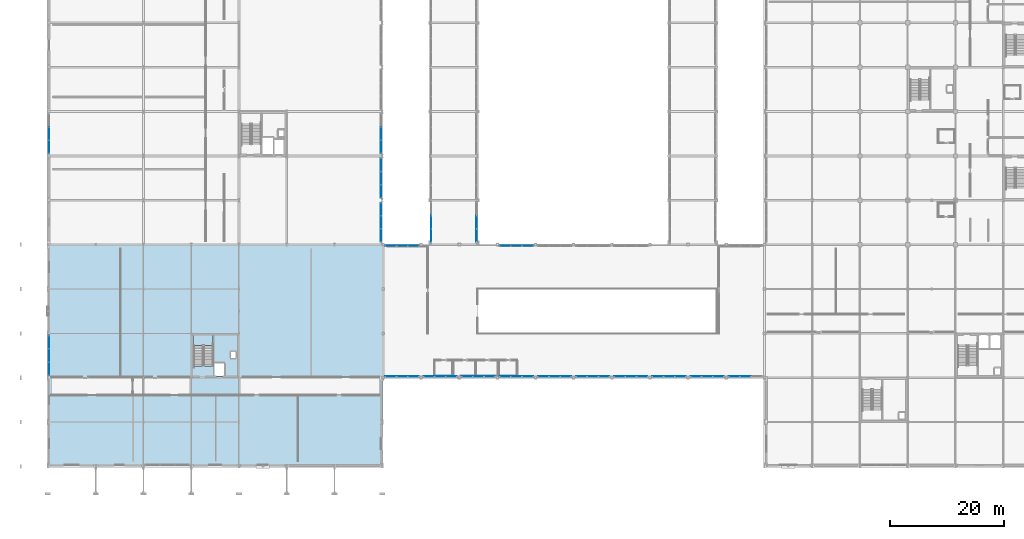
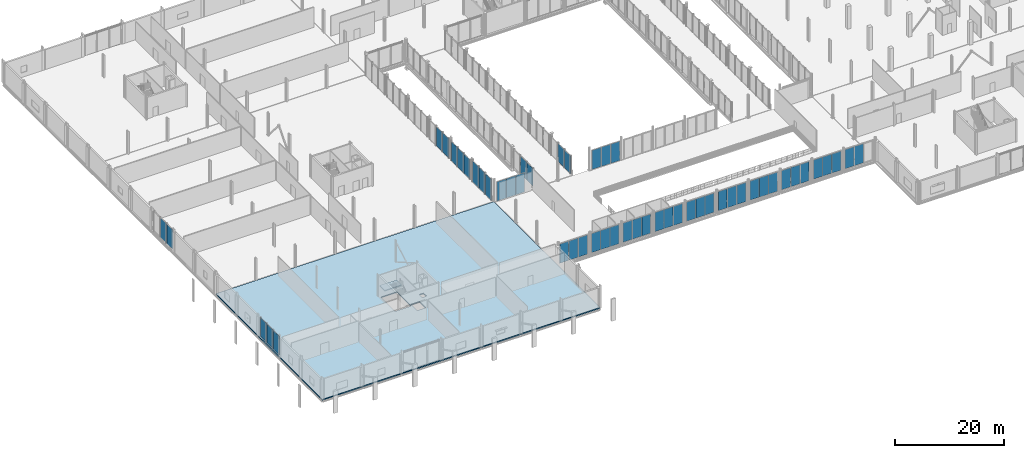
# One storey, part 68 of 105: 52 plates, 2 slabs, 20 elements without a shape of their own.
"""IFC4 building model written with IfcOpenShell, lengths in metres."""

from ifc_helpers import new_model, si_unit, direction, frame, origin, origin_2d, place, context, subcontext, project, spatial, polyline, rectangle, outline, extrude, material, layer, layer_set, type_object, element, aggregate, save


model = new_model("IFC4")

# Units and contexts
model_context = context("Model", 3, precision=1e-05, world=origin(), true_north=direction((0.0, 1.0)))
body_context = subcontext(model_context, "Body", "Model", "MODEL_VIEW")
ifc_project = project(units=[si_unit("LENGTHUNIT", "METRE"), si_unit("AREAUNIT", "SQUARE_METRE"), si_unit("VOLUMEUNIT", "CUBIC_METRE"), si_unit("PLANEANGLEUNIT", "RADIAN"), si_unit("MASSUNIT", "GRAM", prefix="KILO")], contexts=[model_context])

# Site, building, storey
site_placement = place(None, origin())
site = spatial("IfcSite", under=ifc_project, at=site_placement, CompositionType="ELEMENT")
building_placement = place(site_placement, origin())
building = spatial("IfcBuilding", under=site, at=building_placement, Name="Nabrawat Pavilion Hospital", CompositionType="ELEMENT")
storey_placement = place(building_placement, frame((0.0, 0.0, 5.10009765625)))
storey = spatial("IfcBuildingStorey", under=building, at=storey_placement, Name="L01", CompositionType="ELEMENT", Elevation=5.10009765625)

# Slab
ifc_material_1 = material(Name="Concrete C35/45", Category="concrete")
ifc_layer_1 = layer(ifc_material_1, 0.25, Name="Concrete C35/45")
ifc_layer_set_1 = layer_set([ifc_layer_1], Name="Concrete C35/45")
slab_type_1 = type_object("IfcSlabType", Name="Composite Emergency Floor Slab 250", PredefinedType="FLOOR", material=ifc_layer_set_1)
slab_1_placement = place(storey_placement, frame((0.0, 0.0, -0.25)))
element("IfcSlab", 1, at=slab_1_placement, inside=storey, type_object=slab_type_1, Name="L01 Structural Floor Slab P_L01_V2", PredefinedType="FLOOR", context=body_context, shape_type="SweptSolid", body=[
    extrude(outline(polyline([(0.0, 0.0), (58.800048828125, 0.0), (58.800048828125, 39.0), (0.0, 39.0), (0.0, 0.0)]), holes=[polyline([(32.14990234375, 19.050048828125), (32.14990234375, 20.14990234375), (33.050048828125, 20.14990234375), (33.050048828125, 19.050048828125), (32.14990234375, 19.050048828125)]), polyline([(31.06005859375, 18.199951171875), (31.06005859375, 15.89990234375), (29.300048828125, 15.89990234375), (29.300048828125, 18.199951171875), (31.06005859375, 18.199951171875)]), polyline([(29.050048828125, 17.669921875), (25.64990234375, 17.669921875), (25.64990234375, 22.949951171875), (29.050048828125, 22.949951171875), (29.050048828125, 17.669921875)])]), origin(), (0.0, 0.0, 1.0), 0.25),
])

# Curtain wall, plates
ifc_material_2 = material(Name="Anodised Aluminium", Category="aluminium")
curtain_wall_type_1 = type_object("IfcCurtainWallType", Name="Courtyard Link Bridge Glazed Curtain Wall", PredefinedType="USERDEFINED", material=ifc_material_2)
curtain_wall_1_placement = place(storey_placement, origin())
curtain_wall_1 = element("IfcCurtainWall", 2, at=curtain_wall_1_placement, inside=storey, type_object=curtain_wall_type_1, Name="L01 Courtyard Link Bridge Glazed Curtain Wall 052", ObjectType="CURTAIN WALL", PredefinedType="USERDEFINED")
ifc_material_3 = material(Name="Double-Glazed Low-E Glass", Category="glass")
ifc_layer_2 = layer(ifc_material_3, 0.031982421875, Name="Double-Glazed Low-E Glass")
ifc_layer_set_2 = layer_set([ifc_layer_2], Name="Double-Glazed Low-E Glass")
plate_type_1 = type_object("IfcPlateType", Name="Courtyard Link Bridge Glazed Curtain Wall Low-E Solar Panel 32", PredefinedType="CURTAIN_PANEL", material=ifc_layer_set_2)
plate_1_placement = place(storey_placement, frame((67.419921875, 40.631103515625, 0.06982421875), z_axis=(0.0, 0.0, 1.0), x_axis=(0.0, 1.0, 0.0)))
plate_1 = element("IfcPlate", 3, at=plate_1_placement, type_object=plate_type_1, Name="CW-BRG-01 panel 1.1", PredefinedType="CURTAIN_PANEL", context=body_context, shape_type="SweptSolid", body=[
    extrude(rectangle(XDim=2.242431640625, YDim=0.031982421875, at=origin_2d()), origin(), (0.0, 0.0, 1.0), 4.0),
])
plate_2_placement = place(storey_placement, frame((67.419921875, 42.961181640625, 0.06982421875), z_axis=(0.0, 0.0, 1.0), x_axis=(0.0, 1.0, 0.0)))
plate_2 = element("IfcPlate", 4, at=plate_2_placement, type_object=plate_type_1, Name="CW-BRG-01 panel 2.1", PredefinedType="CURTAIN_PANEL", context=body_context, shape_type="SweptSolid", body=[
    extrude(rectangle(XDim=2.27734375, YDim=0.031982421875, at=origin_2d()), origin(), (0.0, 0.0, 1.0), 4.0),
])
aggregate(curtain_wall_1, [plate_1, plate_2])

curtain_wall_2_placement = place(storey_placement, origin())
curtain_wall_2 = element("IfcCurtainWall", 5, at=curtain_wall_2_placement, inside=storey, type_object=curtain_wall_type_1, Name="L01 Courtyard Link Bridge Glazed Curtain Wall 058", ObjectType="CURTAIN WALL", PredefinedType="USERDEFINED")
plate_3_placement = place(storey_placement, frame((75.3798828125, 40.631103515625, 0.06982421875), z_axis=(0.0, 0.0, 1.0), x_axis=(0.0, 1.0, 0.0)))
plate_3 = element("IfcPlate", 6, at=plate_3_placement, type_object=plate_type_1, Name="CW-BRG-01 panel 1.1", PredefinedType="CURTAIN_PANEL", context=body_context, shape_type="SweptSolid", body=[
    extrude(rectangle(XDim=2.242431640625, YDim=0.031982421875, at=origin_2d()), origin(), (0.0, 0.0, 1.0), 4.0),
])
plate_4_placement = place(storey_placement, frame((75.3798828125, 42.961181640625, 0.06982421875), z_axis=(0.0, 0.0, 1.0), x_axis=(0.0, 1.0, 0.0)))
plate_4 = element("IfcPlate", 7, at=plate_4_placement, type_object=plate_type_1, Name="CW-BRG-01 panel 2.1", PredefinedType="CURTAIN_PANEL", context=body_context, shape_type="SweptSolid", body=[
    extrude(rectangle(XDim=2.27734375, YDim=0.031982421875, at=origin_2d()), origin(), (0.0, 0.0, 1.0), 4.0),
])
aggregate(curtain_wall_2, [plate_3, plate_4])

curtain_wall_type_2 = type_object("IfcCurtainWallType", Name="Emergency Concourse Glazed Screen", PredefinedType="USERDEFINED", material=ifc_material_2)
curtain_wall_3_placement = place(storey_placement, origin())
curtain_wall_3 = element("IfcCurtainWall", 8, at=curtain_wall_3_placement, inside=storey, type_object=curtain_wall_type_2, Name="L01 Emergency Concourse Glazed Screen 029", ObjectType="CURTAIN WALL", PredefinedType="USERDEFINED")
ifc_layer_3 = layer(ifc_material_3, 0.030029296875, Name="Double-Glazed Low-E Glass")
ifc_layer_set_3 = layer_set([ifc_layer_3], Name="Double-Glazed Low-E Glass")
plate_type_2 = type_object("IfcPlateType", Name="Emergency Concourse Glazed Screen Low-E Solar Panel 30", PredefinedType="CURTAIN_PANEL", material=ifc_layer_set_3)
plate_5_placement = place(storey_placement, frame((0.219970703125, 17.1640625, 0.06982421875), z_axis=(0.0, 0.0, 1.0), x_axis=(0.0, 1.0, 0.0)))
plate_5 = element("IfcPlate", 9, at=plate_5_placement, type_object=plate_type_2, Name="CW-ED-01 panel 1.1", PredefinedType="CURTAIN_PANEL", context=body_context, shape_type="SweptSolid", body=[
    extrude(rectangle(XDim=2.248291015625, YDim=0.030029296875, at=origin_2d()), origin(), (0.0, 0.0, 1.0), 4.18994140625),
])
plate_6_placement = place(storey_placement, frame((0.219970703125, 19.5, 0.06982421875), z_axis=(0.0, 0.0, 1.0), x_axis=(0.0, 1.0, 0.0)))
plate_6 = element("IfcPlate", 10, at=plate_6_placement, type_object=plate_type_2, Name="CW-ED-01 panel 2.1", PredefinedType="CURTAIN_PANEL", context=body_context, shape_type="SweptSolid", body=[
    extrude(rectangle(XDim=2.283447265625, YDim=0.030029296875, at=origin_2d()), origin(), (0.0, 0.0, 1.0), 4.18994140625),
])
plate_7_placement = place(storey_placement, frame((0.219970703125, 21.8359375, 0.06982421875), z_axis=(0.0, 0.0, 1.0), x_axis=(0.0, 1.0, 0.0)))
plate_7 = element("IfcPlate", 11, at=plate_7_placement, type_object=plate_type_2, Name="CW-ED-01 panel 3.1", PredefinedType="CURTAIN_PANEL", context=body_context, shape_type="SweptSolid", body=[
    extrude(rectangle(XDim=2.248291015625, YDim=0.030029296875, at=origin_2d()), origin(), (0.0, 0.0, 1.0), 4.18994140625),
])
aggregate(curtain_wall_3, [plate_5, plate_6, plate_7])

curtain_wall_4_placement = place(storey_placement, origin())
curtain_wall_4 = element("IfcCurtainWall", 12, at=curtain_wall_4_placement, inside=storey, type_object=curtain_wall_type_2, Name="L01 Emergency Concourse Glazed Screen 031", ObjectType="CURTAIN WALL", PredefinedType="USERDEFINED")
plate_8_placement = place(storey_placement, frame((0.219970703125, 56.214111328125, 0.06982421875), z_axis=(0.0, 0.0, 1.0), x_axis=(0.0, 1.0, 0.0)))
plate_8 = element("IfcPlate", 13, at=plate_8_placement, type_object=plate_type_2, Name="CW-ED-01 panel 1.1", PredefinedType="CURTAIN_PANEL", context=body_context, shape_type="SweptSolid", body=[
    extrude(rectangle(XDim=2.1982421875, YDim=0.030029296875, at=origin_2d()), origin(), (0.0, 0.0, 1.0), 4.320068359375),
])
plate_9_placement = place(storey_placement, frame((0.219970703125, 58.5, 0.06982421875), z_axis=(0.0, 0.0, 1.0), x_axis=(0.0, 1.0, 0.0)))
plate_9 = element("IfcPlate", 14, at=plate_9_placement, type_object=plate_type_2, Name="CW-ED-01 panel 2.1", PredefinedType="CURTAIN_PANEL", context=body_context, shape_type="SweptSolid", body=[
    extrude(rectangle(XDim=2.2333984375, YDim=0.030029296875, at=origin_2d()), origin(), (0.0, 0.0, 1.0), 4.320068359375),
])
aggregate(curtain_wall_4, [plate_8, plate_9])

curtain_wall_type_3 = type_object("IfcCurtainWallType", Name="Healing Garden Cloister Curtain Wall", PredefinedType="USERDEFINED", material=ifc_material_2)
curtain_wall_5_placement = place(storey_placement, origin())
curtain_wall_5 = element("IfcCurtainWall", 15, at=curtain_wall_5_placement, inside=storey, type_object=curtain_wall_type_3, Name="L01 Healing Garden Cloister Curtain Wall 043", ObjectType="CURTAIN WALL", PredefinedType="USERDEFINED")
ifc_layer_4 = layer(ifc_material_3, 0.028076171875, Name="Double-Glazed Low-E Glass")
ifc_layer_set_4 = layer_set([ifc_layer_4], Name="Double-Glazed Low-E Glass")
plate_type_3 = type_object("IfcPlateType", Name="Healing Garden Cloister Curtain Wall Low-E Solar Panel 28", PredefinedType="CURTAIN_PANEL", material=ifc_layer_set_4)
plate_10_placement = place(storey_placement, frame((58.580078125, 40.61376953125, 0.06494140625), z_axis=(0.0, 0.0, 1.0), x_axis=(0.0, 1.0, 0.0)))
plate_10 = element("IfcPlate", 16, at=plate_10_placement, type_object=plate_type_3, Name="CW-CLN-01 panel 1.1", PredefinedType="CURTAIN_PANEL", context=body_context, shape_type="SweptSolid", body=[
    extrude(rectangle(XDim=2.217529296875, YDim=0.028076171875, at=origin_2d()), origin(), (0.0, 0.0, 1.0), 4.679931640625),
])
plate_11_placement = place(storey_placement, frame((58.580078125, 42.91259765625, 0.06494140625), z_axis=(0.0, 0.0, 1.0), x_axis=(0.0, 1.0, 0.0)))
plate_11 = element("IfcPlate", 17, at=plate_11_placement, type_object=plate_type_3, Name="CW-CLN-01 panel 2.1", PredefinedType="CURTAIN_PANEL", context=body_context, shape_type="SweptSolid", body=[
    extrude(rectangle(XDim=2.25, YDim=0.028076171875, at=origin_2d()), origin(), (0.0, 0.0, 1.0), 4.679931640625),
])
plate_12_placement = place(storey_placement, frame((58.580078125, 45.211181640625, 0.06494140625), z_axis=(0.0, 0.0, 1.0), x_axis=(0.0, 1.0, 0.0)))
plate_12 = element("IfcPlate", 18, at=plate_12_placement, type_object=plate_type_3, Name="CW-CLN-01 panel 3.1", PredefinedType="CURTAIN_PANEL", context=body_context, shape_type="SweptSolid", body=[
    extrude(rectangle(XDim=2.217529296875, YDim=0.028076171875, at=origin_2d()), origin(), (0.0, 0.0, 1.0), 4.679931640625),
])
aggregate(curtain_wall_5, [plate_10, plate_11, plate_12])

curtain_wall_6_placement = place(storey_placement, origin())
curtain_wall_6 = element("IfcCurtainWall", 19, at=curtain_wall_6_placement, inside=storey, type_object=curtain_wall_type_3, Name="L01 Healing Garden Cloister Curtain Wall 044", ObjectType="CURTAIN WALL", PredefinedType="USERDEFINED")
plate_13_placement = place(storey_placement, frame((58.580078125, 48.392822265625, 0.06494140625), z_axis=(0.0, 0.0, 1.0), x_axis=(0.0, 1.0, 0.0)))
plate_13 = element("IfcPlate", 20, at=plate_13_placement, type_object=plate_type_3, Name="CW-CLN-01 panel 1.1", PredefinedType="CURTAIN_PANEL", context=body_context, shape_type="SweptSolid", body=[
    extrude(rectangle(XDim=2.225830078125, YDim=0.028076171875, at=origin_2d()), origin(), (0.0, 0.0, 1.0), 4.2900390625),
])
plate_14_placement = place(storey_placement, frame((58.580078125, 50.699951171875, 0.06494140625), z_axis=(0.0, 0.0, 1.0), x_axis=(0.0, 1.0, 0.0)))
plate_14 = element("IfcPlate", 21, at=plate_14_placement, type_object=plate_type_3, Name="CW-CLN-01 panel 2.1", PredefinedType="CURTAIN_PANEL", context=body_context, shape_type="SweptSolid", body=[
    extrude(rectangle(XDim=2.25830078125, YDim=0.028076171875, at=origin_2d()), origin(), (0.0, 0.0, 1.0), 4.2900390625),
])
plate_15_placement = place(storey_placement, frame((58.580078125, 53.007080078125, 0.06494140625), z_axis=(0.0, 0.0, 1.0), x_axis=(0.0, 1.0, 0.0)))
plate_15 = element("IfcPlate", 22, at=plate_15_placement, type_object=plate_type_3, Name="CW-CLN-01 panel 3.1", PredefinedType="CURTAIN_PANEL", context=body_context, shape_type="SweptSolid", body=[
    extrude(rectangle(XDim=2.225830078125, YDim=0.028076171875, at=origin_2d()), origin(), (0.0, 0.0, 1.0), 4.2900390625),
])
aggregate(curtain_wall_6, [plate_13, plate_14, plate_15])

curtain_wall_7_placement = place(storey_placement, origin())
curtain_wall_7 = element("IfcCurtainWall", 23, at=curtain_wall_7_placement, inside=storey, type_object=curtain_wall_type_3, Name="L01 Healing Garden Cloister Curtain Wall 045", ObjectType="CURTAIN WALL", PredefinedType="USERDEFINED")
plate_16_placement = place(storey_placement, frame((58.580078125, 56.19287109375, 0.06494140625), z_axis=(0.0, 0.0, 1.0), x_axis=(0.0, 1.0, 0.0)))
plate_16 = element("IfcPlate", 24, at=plate_16_placement, type_object=plate_type_3, Name="CW-CLN-01 panel 1.1", PredefinedType="CURTAIN_PANEL", context=body_context, shape_type="SweptSolid", body=[
    extrude(rectangle(XDim=2.225830078125, YDim=0.028076171875, at=origin_2d()), origin(), (0.0, 0.0, 1.0), 4.2900390625),
])
plate_17_placement = place(storey_placement, frame((58.580078125, 58.5, 0.06494140625), z_axis=(0.0, 0.0, 1.0), x_axis=(0.0, 1.0, 0.0)))
plate_17 = element("IfcPlate", 25, at=plate_17_placement, type_object=plate_type_3, Name="CW-CLN-01 panel 2.1", PredefinedType="CURTAIN_PANEL", context=body_context, shape_type="SweptSolid", body=[
    extrude(rectangle(XDim=2.25830078125, YDim=0.028076171875, at=origin_2d()), origin(), (0.0, 0.0, 1.0), 4.2900390625),
])
aggregate(curtain_wall_7, [plate_16, plate_17])

curtain_wall_type_4 = type_object("IfcCurtainWallType", Name="Main Hall Pavilion Unitised Curtain Wall", PredefinedType="USERDEFINED", material=ifc_material_2)
curtain_wall_8_placement = place(storey_placement, origin())
curtain_wall_8 = element("IfcCurtainWall", 26, at=curtain_wall_8_placement, inside=storey, type_object=curtain_wall_type_4, Name="L01 Main Hall Pavilion Unitised Curtain Wall 033", ObjectType="CURTAIN WALL", PredefinedType="USERDEFINED")
ifc_layer_5 = layer(ifc_material_3, 0.035888671875, Name="Double-Glazed Low-E Glass")
ifc_layer_set_5 = layer_set([ifc_layer_5], Name="Double-Glazed Low-E Glass")
plate_type_4 = type_object("IfcPlateType", Name="Main Hall Pavilion Unitised Curtain Wall Low-E Solar Panel 36", PredefinedType="CURTAIN_PANEL", material=ifc_layer_set_5)
plate_18_placement = place(storey_placement, frame((60.302490234375, 15.820068359375, 0.074951171875), z_axis=(0.0, 0.0, 1.0), x_axis=(1.0, 0.0, 0.0)))
plate_18 = element("IfcPlate", 27, at=plate_18_placement, type_object=plate_type_4, Name="CW-MH-01 panel 1.1", PredefinedType="CURTAIN_PANEL", context=body_context, shape_type="SweptSolid", body=[
    extrude(rectangle(XDim=1.8779296875, YDim=0.035888671875, at=origin_2d()), origin(), (0.0, 0.0, 1.0), 4.2900390625),
])
plate_19_placement = place(storey_placement, frame((62.27392578125, 15.820068359375, 0.074951171875), z_axis=(0.0, 0.0, 1.0), x_axis=(1.0, 0.0, 0.0)))
plate_19 = element("IfcPlate", 28, at=plate_19_placement, type_object=plate_type_4, Name="CW-MH-01 panel 2.1", PredefinedType="CURTAIN_PANEL", context=body_context, shape_type="SweptSolid", body=[
    extrude(rectangle(XDim=1.915283203125, YDim=0.035888671875, at=origin_2d()), origin(), (0.0, 0.0, 1.0), 4.2900390625),
])
plate_20_placement = place(storey_placement, frame((64.24560546875, 15.820068359375, 0.074951171875), z_axis=(0.0, 0.0, 1.0), x_axis=(1.0, 0.0, 0.0)))
plate_20 = element("IfcPlate", 29, at=plate_20_placement, type_object=plate_type_4, Name="CW-MH-01 panel 3.1", PredefinedType="CURTAIN_PANEL", context=body_context, shape_type="SweptSolid", body=[
    extrude(rectangle(XDim=1.8779296875, YDim=0.035888671875, at=origin_2d()), origin(), (0.0, 0.0, 1.0), 4.2900390625),
])
aggregate(curtain_wall_8, [plate_18, plate_19, plate_20])

curtain_wall_9_placement = place(storey_placement, origin())
curtain_wall_9 = element("IfcCurtainWall", 30, at=curtain_wall_9_placement, inside=storey, type_object=curtain_wall_type_4, Name="L01 Main Hall Pavilion Unitised Curtain Wall 034", ObjectType="CURTAIN WALL", PredefinedType="USERDEFINED")
plate_21_placement = place(storey_placement, frame((67.010498046875, 15.820068359375, 0.07470703125), z_axis=(0.0, 0.0, 1.0), x_axis=(1.0, 0.0, 0.0)))
plate_21 = element("IfcPlate", 31, at=plate_21_placement, type_object=plate_type_4, Name="CW-MH-01 panel 1.1", PredefinedType="CURTAIN_PANEL", context=body_context, shape_type="SweptSolid", body=[
    extrude(rectangle(XDim=1.8779296875, YDim=0.035888671875, at=origin_2d()), origin(), (0.0, 0.0, 1.0), 4.300048828125),
])
plate_22_placement = place(storey_placement, frame((68.98193359375, 15.820068359375, 0.07470703125), z_axis=(0.0, 0.0, 1.0), x_axis=(1.0, 0.0, 0.0)))
plate_22 = element("IfcPlate", 32, at=plate_22_placement, type_object=plate_type_4, Name="CW-MH-01 panel 2.1", PredefinedType="CURTAIN_PANEL", context=body_context, shape_type="SweptSolid", body=[
    extrude(rectangle(XDim=1.915283203125, YDim=0.035888671875, at=origin_2d()), origin(), (0.0, 0.0, 1.0), 4.300048828125),
])
plate_23_placement = place(storey_placement, frame((70.95361328125, 15.820068359375, 0.07470703125), z_axis=(0.0, 0.0, 1.0), x_axis=(1.0, 0.0, 0.0)))
plate_23 = element("IfcPlate", 33, at=plate_23_placement, type_object=plate_type_4, Name="CW-MH-01 panel 3.1", PredefinedType="CURTAIN_PANEL", context=body_context, shape_type="SweptSolid", body=[
    extrude(rectangle(XDim=1.8779296875, YDim=0.035888671875, at=origin_2d()), origin(), (0.0, 0.0, 1.0), 4.300048828125),
])
aggregate(curtain_wall_9, [plate_21, plate_22, plate_23])

curtain_wall_10_placement = place(storey_placement, origin())
curtain_wall_10 = element("IfcCurtainWall", 34, at=curtain_wall_10_placement, inside=storey, type_object=curtain_wall_type_4, Name="L01 Main Hall Pavilion Unitised Curtain Wall 035", ObjectType="CURTAIN WALL", PredefinedType="USERDEFINED")
plate_24_placement = place(storey_placement, frame((73.718505859375, 15.820068359375, 0.07470703125), z_axis=(0.0, 0.0, 1.0), x_axis=(1.0, 0.0, 0.0)))
plate_24 = element("IfcPlate", 35, at=plate_24_placement, type_object=plate_type_4, Name="CW-MH-01 panel 1.1", PredefinedType="CURTAIN_PANEL", context=body_context, shape_type="SweptSolid", body=[
    extrude(rectangle(XDim=1.8779296875, YDim=0.035888671875, at=origin_2d()), origin(), (0.0, 0.0, 1.0), 4.300048828125),
])
plate_25_placement = place(storey_placement, frame((75.68994140625, 15.820068359375, 0.07470703125), z_axis=(0.0, 0.0, 1.0), x_axis=(1.0, 0.0, 0.0)))
plate_25 = element("IfcPlate", 36, at=plate_25_placement, type_object=plate_type_4, Name="CW-MH-01 panel 2.1", PredefinedType="CURTAIN_PANEL", context=body_context, shape_type="SweptSolid", body=[
    extrude(rectangle(XDim=1.915283203125, YDim=0.035888671875, at=origin_2d()), origin(), (0.0, 0.0, 1.0), 4.300048828125),
])
plate_26_placement = place(storey_placement, frame((77.66162109375, 15.820068359375, 0.07470703125), z_axis=(0.0, 0.0, 1.0), x_axis=(1.0, 0.0, 0.0)))
plate_26 = element("IfcPlate", 37, at=plate_26_placement, type_object=plate_type_4, Name="CW-MH-01 panel 3.1", PredefinedType="CURTAIN_PANEL", context=body_context, shape_type="SweptSolid", body=[
    extrude(rectangle(XDim=1.8779296875, YDim=0.035888671875, at=origin_2d()), origin(), (0.0, 0.0, 1.0), 4.300048828125),
])
aggregate(curtain_wall_10, [plate_24, plate_25, plate_26])

curtain_wall_11_placement = place(storey_placement, origin())
curtain_wall_11 = element("IfcCurtainWall", 38, at=curtain_wall_11_placement, inside=storey, type_object=curtain_wall_type_4, Name="L01 Main Hall Pavilion Unitised Curtain Wall 036", ObjectType="CURTAIN WALL", PredefinedType="USERDEFINED")
plate_27_placement = place(storey_placement, frame((80.426513671875, 15.820068359375, 0.07470703125), z_axis=(0.0, 0.0, 1.0), x_axis=(1.0, 0.0, 0.0)))
plate_27 = element("IfcPlate", 39, at=plate_27_placement, type_object=plate_type_4, Name="CW-MH-01 panel 1.1", PredefinedType="CURTAIN_PANEL", context=body_context, shape_type="SweptSolid", body=[
    extrude(rectangle(XDim=1.8779296875, YDim=0.035888671875, at=origin_2d()), origin(), (0.0, 0.0, 1.0), 4.300048828125),
])
plate_28_placement = place(storey_placement, frame((82.39794921875, 15.820068359375, 0.07470703125), z_axis=(0.0, 0.0, 1.0), x_axis=(1.0, 0.0, 0.0)))
plate_28 = element("IfcPlate", 40, at=plate_28_placement, type_object=plate_type_4, Name="CW-MH-01 panel 2.1", PredefinedType="CURTAIN_PANEL", context=body_context, shape_type="SweptSolid", body=[
    extrude(rectangle(XDim=1.915283203125, YDim=0.035888671875, at=origin_2d()), origin(), (0.0, 0.0, 1.0), 4.300048828125),
])
plate_29_placement = place(storey_placement, frame((84.36962890625, 15.820068359375, 0.07470703125), z_axis=(0.0, 0.0, 1.0), x_axis=(1.0, 0.0, 0.0)))
plate_29 = element("IfcPlate", 41, at=plate_29_placement, type_object=plate_type_4, Name="CW-MH-01 panel 3.1", PredefinedType="CURTAIN_PANEL", context=body_context, shape_type="SweptSolid", body=[
    extrude(rectangle(XDim=1.8779296875, YDim=0.035888671875, at=origin_2d()), origin(), (0.0, 0.0, 1.0), 4.300048828125),
])
aggregate(curtain_wall_11, [plate_27, plate_28, plate_29])

curtain_wall_12_placement = place(storey_placement, origin())
curtain_wall_12 = element("IfcCurtainWall", 42, at=curtain_wall_12_placement, inside=storey, type_object=curtain_wall_type_4, Name="L01 Main Hall Pavilion Unitised Curtain Wall 037", ObjectType="CURTAIN WALL", PredefinedType="USERDEFINED")
plate_30_placement = place(storey_placement, frame((87.134521484375, 15.820068359375, 0.07470703125), z_axis=(0.0, 0.0, 1.0), x_axis=(1.0, 0.0, 0.0)))
plate_30 = element("IfcPlate", 43, at=plate_30_placement, type_object=plate_type_4, Name="CW-MH-01 panel 1.1", PredefinedType="CURTAIN_PANEL", context=body_context, shape_type="SweptSolid", body=[
    extrude(rectangle(XDim=1.8779296875, YDim=0.035888671875, at=origin_2d()), origin(), (0.0, 0.0, 1.0), 4.300048828125),
])
plate_31_placement = place(storey_placement, frame((89.10595703125, 15.820068359375, 0.07470703125), z_axis=(0.0, 0.0, 1.0), x_axis=(1.0, 0.0, 0.0)))
plate_31 = element("IfcPlate", 44, at=plate_31_placement, type_object=plate_type_4, Name="CW-MH-01 panel 2.1", PredefinedType="CURTAIN_PANEL", context=body_context, shape_type="SweptSolid", body=[
    extrude(rectangle(XDim=1.915283203125, YDim=0.035888671875, at=origin_2d()), origin(), (0.0, 0.0, 1.0), 4.300048828125),
])
plate_32_placement = place(storey_placement, frame((91.07763671875, 15.820068359375, 0.07470703125), z_axis=(0.0, 0.0, 1.0), x_axis=(1.0, 0.0, 0.0)))
plate_32 = element("IfcPlate", 45, at=plate_32_placement, type_object=plate_type_4, Name="CW-MH-01 panel 3.1", PredefinedType="CURTAIN_PANEL", context=body_context, shape_type="SweptSolid", body=[
    extrude(rectangle(XDim=1.8779296875, YDim=0.035888671875, at=origin_2d()), origin(), (0.0, 0.0, 1.0), 4.300048828125),
])
aggregate(curtain_wall_12, [plate_30, plate_31, plate_32])

curtain_wall_13_placement = place(storey_placement, origin())
curtain_wall_13 = element("IfcCurtainWall", 46, at=curtain_wall_13_placement, inside=storey, type_object=curtain_wall_type_4, Name="L01 Main Hall Pavilion Unitised Curtain Wall 038", ObjectType="CURTAIN WALL", PredefinedType="USERDEFINED")
plate_33_placement = place(storey_placement, frame((93.842529296875, 15.820068359375, 0.07470703125), z_axis=(0.0, 0.0, 1.0), x_axis=(1.0, 0.0, 0.0)))
plate_33 = element("IfcPlate", 47, at=plate_33_placement, type_object=plate_type_4, Name="CW-MH-01 panel 1.1", PredefinedType="CURTAIN_PANEL", context=body_context, shape_type="SweptSolid", body=[
    extrude(rectangle(XDim=1.8779296875, YDim=0.035888671875, at=origin_2d()), origin(), (0.0, 0.0, 1.0), 4.300048828125),
])
plate_34_placement = place(storey_placement, frame((95.81396484375, 15.820068359375, 0.07470703125), z_axis=(0.0, 0.0, 1.0), x_axis=(1.0, 0.0, 0.0)))
plate_34 = element("IfcPlate", 48, at=plate_34_placement, type_object=plate_type_4, Name="CW-MH-01 panel 2.1", PredefinedType="CURTAIN_PANEL", context=body_context, shape_type="SweptSolid", body=[
    extrude(rectangle(XDim=1.915283203125, YDim=0.035888671875, at=origin_2d()), origin(), (0.0, 0.0, 1.0), 4.300048828125),
])
plate_35_placement = place(storey_placement, frame((97.78564453125, 15.820068359375, 0.07470703125), z_axis=(0.0, 0.0, 1.0), x_axis=(1.0, 0.0, 0.0)))
plate_35 = element("IfcPlate", 49, at=plate_35_placement, type_object=plate_type_4, Name="CW-MH-01 panel 3.1", PredefinedType="CURTAIN_PANEL", context=body_context, shape_type="SweptSolid", body=[
    extrude(rectangle(XDim=1.8779296875, YDim=0.035888671875, at=origin_2d()), origin(), (0.0, 0.0, 1.0), 4.300048828125),
])
aggregate(curtain_wall_13, [plate_33, plate_34, plate_35])

curtain_wall_14_placement = place(storey_placement, origin())
curtain_wall_14 = element("IfcCurtainWall", 50, at=curtain_wall_14_placement, inside=storey, type_object=curtain_wall_type_4, Name="L01 Main Hall Pavilion Unitised Curtain Wall 039", ObjectType="CURTAIN WALL", PredefinedType="USERDEFINED")
plate_36_placement = place(storey_placement, frame((100.550537109375, 15.820068359375, 0.07470703125), z_axis=(0.0, 0.0, 1.0), x_axis=(1.0, 0.0, 0.0)))
plate_36 = element("IfcPlate", 51, at=plate_36_placement, type_object=plate_type_4, Name="CW-MH-01 panel 1.1", PredefinedType="CURTAIN_PANEL", context=body_context, shape_type="SweptSolid", body=[
    extrude(rectangle(XDim=1.8779296875, YDim=0.035888671875, at=origin_2d()), origin(), (0.0, 0.0, 1.0), 4.300048828125),
])
plate_37_placement = place(storey_placement, frame((102.52197265625, 15.820068359375, 0.07470703125), z_axis=(0.0, 0.0, 1.0), x_axis=(1.0, 0.0, 0.0)))
plate_37 = element("IfcPlate", 52, at=plate_37_placement, type_object=plate_type_4, Name="CW-MH-01 panel 2.1", PredefinedType="CURTAIN_PANEL", context=body_context, shape_type="SweptSolid", body=[
    extrude(rectangle(XDim=1.915283203125, YDim=0.035888671875, at=origin_2d()), origin(), (0.0, 0.0, 1.0), 4.300048828125),
])
plate_38_placement = place(storey_placement, frame((104.49365234375, 15.820068359375, 0.07470703125), z_axis=(0.0, 0.0, 1.0), x_axis=(1.0, 0.0, 0.0)))
plate_38 = element("IfcPlate", 53, at=plate_38_placement, type_object=plate_type_4, Name="CW-MH-01 panel 3.1", PredefinedType="CURTAIN_PANEL", context=body_context, shape_type="SweptSolid", body=[
    extrude(rectangle(XDim=1.8779296875, YDim=0.035888671875, at=origin_2d()), origin(), (0.0, 0.0, 1.0), 4.300048828125),
])
aggregate(curtain_wall_14, [plate_36, plate_37, plate_38])

curtain_wall_15_placement = place(storey_placement, origin())
curtain_wall_15 = element("IfcCurtainWall", 54, at=curtain_wall_15_placement, inside=storey, type_object=curtain_wall_type_4, Name="L01 Main Hall Pavilion Unitised Curtain Wall 040", ObjectType="CURTAIN WALL", PredefinedType="USERDEFINED")
plate_39_placement = place(storey_placement, frame((107.25830078125, 15.820068359375, 0.07470703125), z_axis=(0.0, 0.0, 1.0), x_axis=(1.0, 0.0, 0.0)))
plate_39 = element("IfcPlate", 55, at=plate_39_placement, type_object=plate_type_4, Name="CW-MH-01 panel 1.1", PredefinedType="CURTAIN_PANEL", context=body_context, shape_type="SweptSolid", body=[
    extrude(rectangle(XDim=1.8779296875, YDim=0.035888671875, at=origin_2d()), origin(), (0.0, 0.0, 1.0), 4.300048828125),
])
plate_40_placement = place(storey_placement, frame((109.22998046875, 15.820068359375, 0.07470703125), z_axis=(0.0, 0.0, 1.0), x_axis=(1.0, 0.0, 0.0)))
plate_40 = element("IfcPlate", 56, at=plate_40_placement, type_object=plate_type_4, Name="CW-MH-01 panel 2.1", PredefinedType="CURTAIN_PANEL", context=body_context, shape_type="SweptSolid", body=[
    extrude(rectangle(XDim=1.915283203125, YDim=0.035888671875, at=origin_2d()), origin(), (0.0, 0.0, 1.0), 4.300048828125),
])
plate_41_placement = place(storey_placement, frame((111.20166015625, 15.820068359375, 0.07470703125), z_axis=(0.0, 0.0, 1.0), x_axis=(1.0, 0.0, 0.0)))
plate_41 = element("IfcPlate", 57, at=plate_41_placement, type_object=plate_type_4, Name="CW-MH-01 panel 3.1", PredefinedType="CURTAIN_PANEL", context=body_context, shape_type="SweptSolid", body=[
    extrude(rectangle(XDim=1.8779296875, YDim=0.035888671875, at=origin_2d()), origin(), (0.0, 0.0, 1.0), 4.300048828125),
])
aggregate(curtain_wall_15, [plate_39, plate_40, plate_41])

curtain_wall_16_placement = place(storey_placement, origin())
curtain_wall_16 = element("IfcCurtainWall", 58, at=curtain_wall_16_placement, inside=storey, type_object=curtain_wall_type_4, Name="L01 Main Hall Pavilion Unitised Curtain Wall 041", ObjectType="CURTAIN WALL", PredefinedType="USERDEFINED")
plate_42_placement = place(storey_placement, frame((113.96630859375, 15.820068359375, 0.07470703125), z_axis=(0.0, 0.0, 1.0), x_axis=(1.0, 0.0, 0.0)))
plate_42 = element("IfcPlate", 59, at=plate_42_placement, type_object=plate_type_4, Name="CW-MH-01 panel 1.1", PredefinedType="CURTAIN_PANEL", context=body_context, shape_type="SweptSolid", body=[
    extrude(rectangle(XDim=1.8779296875, YDim=0.035888671875, at=origin_2d()), origin(), (0.0, 0.0, 1.0), 4.300048828125),
])
plate_43_placement = place(storey_placement, frame((115.93798828125, 15.820068359375, 0.07470703125), z_axis=(0.0, 0.0, 1.0), x_axis=(1.0, 0.0, 0.0)))
plate_43 = element("IfcPlate", 60, at=plate_43_placement, type_object=plate_type_4, Name="CW-MH-01 panel 2.1", PredefinedType="CURTAIN_PANEL", context=body_context, shape_type="SweptSolid", body=[
    extrude(rectangle(XDim=1.915283203125, YDim=0.035888671875, at=origin_2d()), origin(), (0.0, 0.0, 1.0), 4.300048828125),
])
plate_44_placement = place(storey_placement, frame((117.90966796875, 15.820068359375, 0.07470703125), z_axis=(0.0, 0.0, 1.0), x_axis=(1.0, 0.0, 0.0)))
plate_44 = element("IfcPlate", 61, at=plate_44_placement, type_object=plate_type_4, Name="CW-MH-01 panel 3.1", PredefinedType="CURTAIN_PANEL", context=body_context, shape_type="SweptSolid", body=[
    extrude(rectangle(XDim=1.8779296875, YDim=0.035888671875, at=origin_2d()), origin(), (0.0, 0.0, 1.0), 4.300048828125),
])
aggregate(curtain_wall_16, [plate_42, plate_43, plate_44])

curtain_wall_17_placement = place(storey_placement, origin())
curtain_wall_17 = element("IfcCurtainWall", 62, at=curtain_wall_17_placement, inside=storey, type_object=curtain_wall_type_4, Name="L01 Main Hall Pavilion Unitised Curtain Wall 042", ObjectType="CURTAIN WALL", PredefinedType="USERDEFINED")
plate_45_placement = place(storey_placement, frame((120.67431640625, 15.820068359375, 0.07470703125), z_axis=(0.0, 0.0, 1.0), x_axis=(1.0, 0.0, 0.0)))
plate_45 = element("IfcPlate", 63, at=plate_45_placement, type_object=plate_type_4, Name="CW-MH-01 panel 1.1", PredefinedType="CURTAIN_PANEL", context=body_context, shape_type="SweptSolid", body=[
    extrude(rectangle(XDim=1.8779296875, YDim=0.035888671875, at=origin_2d()), origin(), (0.0, 0.0, 1.0), 4.300048828125),
])
plate_46_placement = place(storey_placement, frame((122.64599609375, 15.820068359375, 0.07470703125), z_axis=(0.0, 0.0, 1.0), x_axis=(1.0, 0.0, 0.0)))
plate_46 = element("IfcPlate", 64, at=plate_46_placement, type_object=plate_type_4, Name="CW-MH-01 panel 2.1", PredefinedType="CURTAIN_PANEL", context=body_context, shape_type="SweptSolid", body=[
    extrude(rectangle(XDim=1.915283203125, YDim=0.035888671875, at=origin_2d()), origin(), (0.0, 0.0, 1.0), 4.300048828125),
])
aggregate(curtain_wall_17, [plate_45, plate_46])

curtain_wall_18_placement = place(storey_placement, origin())
curtain_wall_18 = element("IfcCurtainWall", 65, at=curtain_wall_18_placement, inside=storey, type_object=curtain_wall_type_4, Name="L01 Main Hall Pavilion Unitised Curtain Wall 049", ObjectType="CURTAIN WALL", PredefinedType="USERDEFINED")
plate_47_placement = place(storey_placement, frame((60.302490234375, 38.780029296875, 0.074951171875), z_axis=(0.0, 0.0, 1.0), x_axis=(1.0, 0.0, 0.0)))
plate_47 = element("IfcPlate", 66, at=plate_47_placement, type_object=plate_type_4, Name="CW-MH-01 panel 1.1", PredefinedType="CURTAIN_PANEL", context=body_context, shape_type="SweptSolid", body=[
    extrude(rectangle(XDim=1.8779296875, YDim=0.035888671875, at=origin_2d()), origin(), (0.0, 0.0, 1.0), 4.2900390625),
])
plate_48_placement = place(storey_placement, frame((62.27392578125, 38.780029296875, 0.074951171875), z_axis=(0.0, 0.0, 1.0), x_axis=(1.0, 0.0, 0.0)))
plate_48 = element("IfcPlate", 67, at=plate_48_placement, type_object=plate_type_4, Name="CW-MH-01 panel 2.1", PredefinedType="CURTAIN_PANEL", context=body_context, shape_type="SweptSolid", body=[
    extrude(rectangle(XDim=1.915283203125, YDim=0.035888671875, at=origin_2d()), origin(), (0.0, 0.0, 1.0), 4.2900390625),
])
plate_49_placement = place(storey_placement, frame((64.24560546875, 38.780029296875, 0.074951171875), z_axis=(0.0, 0.0, 1.0), x_axis=(1.0, 0.0, 0.0)))
plate_49 = element("IfcPlate", 68, at=plate_49_placement, type_object=plate_type_4, Name="CW-MH-01 panel 3.1", PredefinedType="CURTAIN_PANEL", context=body_context, shape_type="SweptSolid", body=[
    extrude(rectangle(XDim=1.8779296875, YDim=0.035888671875, at=origin_2d()), origin(), (0.0, 0.0, 1.0), 4.2900390625),
])
aggregate(curtain_wall_18, [plate_47, plate_48, plate_49])

curtain_wall_19_placement = place(storey_placement, origin())
curtain_wall_19 = element("IfcCurtainWall", 69, at=curtain_wall_19_placement, inside=storey, type_object=curtain_wall_type_4, Name="L01 Main Hall Pavilion Unitised Curtain Wall 064", ObjectType="CURTAIN WALL", PredefinedType="USERDEFINED")
plate_50_placement = place(storey_placement, frame((80.426513671875, 38.780029296875, 0.07470703125), z_axis=(0.0, 0.0, 1.0), x_axis=(1.0, 0.0, 0.0)))
plate_50 = element("IfcPlate", 70, at=plate_50_placement, type_object=plate_type_4, Name="CW-MH-01 panel 1.1", PredefinedType="CURTAIN_PANEL", context=body_context, shape_type="SweptSolid", body=[
    extrude(rectangle(XDim=1.8779296875, YDim=0.035888671875, at=origin_2d()), origin(), (0.0, 0.0, 1.0), 4.300048828125),
])
plate_51_placement = place(storey_placement, frame((82.39794921875, 38.780029296875, 0.07470703125), z_axis=(0.0, 0.0, 1.0), x_axis=(1.0, 0.0, 0.0)))
plate_51 = element("IfcPlate", 71, at=plate_51_placement, type_object=plate_type_4, Name="CW-MH-01 panel 2.1", PredefinedType="CURTAIN_PANEL", context=body_context, shape_type="SweptSolid", body=[
    extrude(rectangle(XDim=1.915283203125, YDim=0.035888671875, at=origin_2d()), origin(), (0.0, 0.0, 1.0), 4.300048828125),
])
plate_52_placement = place(storey_placement, frame((84.36962890625, 38.780029296875, 0.07470703125), z_axis=(0.0, 0.0, 1.0), x_axis=(1.0, 0.0, 0.0)))
plate_52 = element("IfcPlate", 72, at=plate_52_placement, type_object=plate_type_4, Name="CW-MH-01 panel 3.1", PredefinedType="CURTAIN_PANEL", context=body_context, shape_type="SweptSolid", body=[
    extrude(rectangle(XDim=1.8779296875, YDim=0.035888671875, at=origin_2d()), origin(), (0.0, 0.0, 1.0), 4.300048828125),
])
aggregate(curtain_wall_19, [plate_50, plate_51, plate_52])

# Stair, slab
stair_type = type_object("IfcStairType", Name="Core Dogleg Escape Stair Assembly", PredefinedType="HALF_TURN_STAIR", material=ifc_material_1)
stair_placement = place(storey_placement, origin())
stair = element("IfcStair", 73, at=stair_placement, inside=storey, type_object=stair_type, Name="L01 Emergency Stair and Lift Core 1", PredefinedType="HALF_TURN_STAIR")
ifc_layer_6 = layer(ifc_material_1, 0.199951171875, Name="Concrete C35/45")
ifc_layer_set_6 = layer_set([ifc_layer_6], Name="Concrete C35/45")
slab_type_2 = type_object("IfcSlabType", Name="Reinforced Concrete Stair Half-Landing 200", PredefinedType="LANDING", material=ifc_layer_set_6)
slab_2_placement = place(storey_placement, frame((0.0, 0.0, 2.349853515625)))
slab_2 = element("IfcSlab", 74, at=slab_2_placement, type_object=slab_type_2, Name="ST-01 landing 1", PredefinedType="LANDING", context=body_context, shape_type="SweptSolid", body=[
    extrude(outline(polyline([(29.070068359375, 21.2451171875), (29.070068359375, 23.1201171875), (25.47998046875, 23.1201171875), (25.47998046875, 21.2451171875), (29.070068359375, 21.2451171875)])), origin(), (0.0, 0.0, 1.0), 0.199951171875),
])
aggregate(stair, [slab_2])

save(model, "model.ifc")
